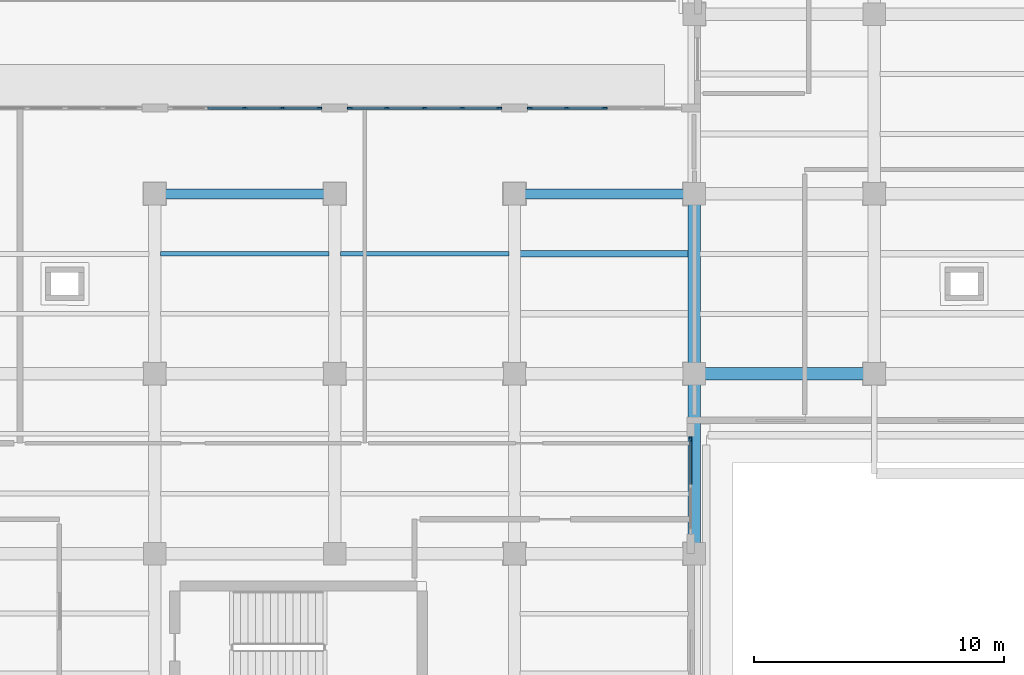
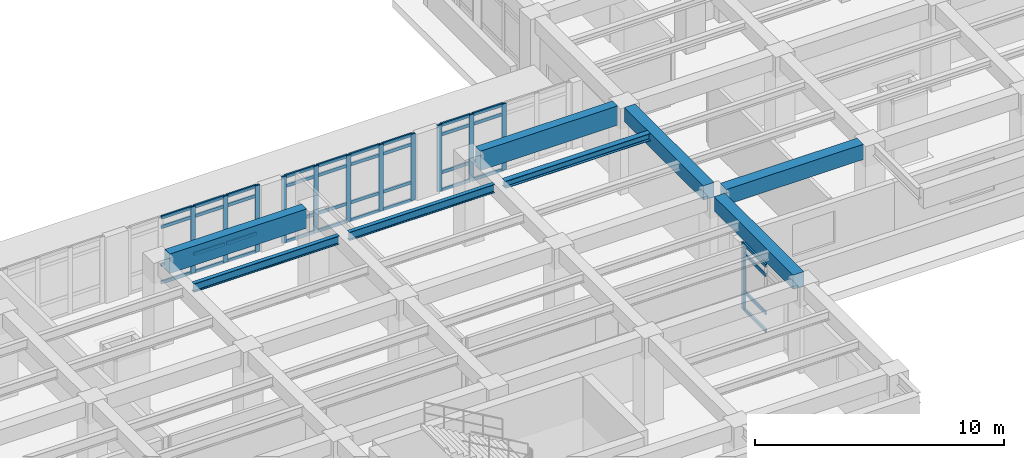
# One storey, part 15 of 69: 52 members, 8 beams, 4 elements without a shape of their own.
"""IFC4 building model written with IfcOpenShell, lengths in metres."""

import ifcopenshell
import ifcopenshell.guid

model = None  # the IFC model being written
_history = None  # IfcOwnerHistory: only IFC2X3 demands one
_inside = {}  # id of a spatial element -> (the spatial element, [elements in it])
_under = {}  # id of a project, library or spatial element -> (it, [spatial elements below it])
_declared = {}  # id of a project -> (the project, [libraries it declares])
_typed = {}  # id of a type object -> (the type object, [elements of that type])
_made_of = {}  # id of a material, layer set ... -> (it, [elements and type objects made of it])


def new_model(schema):
    """Start an empty IFC model of exactly this schema.

    Asked for "IFC4X3", IfcOpenShell would pick the latest addendum, in which some entities
    have other attributes; the version numbers below select the first issue.
    IFC2X3 requires an IfcOwnerHistory on every rooted entity: one is made here for all.
    """
    global model, _history
    if schema == "IFC4X3":
        model = ifcopenshell.file(schema_version=(4, 3, 0, 0))
    else:
        model = ifcopenshell.file(schema=schema)
    _inside.clear()
    _under.clear()
    _declared.clear()
    _typed.clear()
    _made_of.clear()
    _history = None
    if model.schema == "IFC2X3":
        org = make("IfcOrganization", Name="unknown")
        user = make(
            "IfcPersonAndOrganization",
            ThePerson=make("IfcPerson", FamilyName="unknown"),
            TheOrganization=org,
        )
        app = make(
            "IfcApplication",
            ApplicationDeveloper=org,
            Version="unknown",
            ApplicationFullName="unknown",
            ApplicationIdentifier="unknown",
        )
        _history = make(
            "IfcOwnerHistory",
            OwningUser=user,
            OwningApplication=app,
            ChangeAction="ADDED",
            CreationDate=0,
        )
    return model


def make(cls, **values):
    """One entity of the class cls with the attributes given. An attribute that is None is left unset."""
    return model.create_entity(
        cls, **{name: value for name, value in values.items() if value is not None}
    )


def rooted(cls, **values):
    """An entity with a GlobalId (a new one), such as an element, a storey or a relation."""
    return make(cls, GlobalId=ifcopenshell.guid.new(), OwnerHistory=_history, **values)


def si_unit(unit_type, name, prefix=None):
    """IfcSIUnit, for example si_unit("LENGTHUNIT", "METRE", prefix="MILLI")."""
    return make("IfcSIUnit", UnitType=unit_type, Prefix=prefix, Name=name)


def assignment(units):
    """IfcUnitAssignment: the units of a project."""
    return None if units is None else make("IfcUnitAssignment", Units=units)


def point(xyz):
    """IfcCartesianPoint."""
    return None if xyz is None else make("IfcCartesianPoint", Coordinates=xyz)


def direction(xyz):
    """IfcDirection."""
    return None if xyz is None else make("IfcDirection", DirectionRatios=xyz)


def frame(location, z_axis=None, x_axis=None):
    """IfcAxis2Placement3D, a coordinate frame: its origin and axes. An axis left out is left unset."""
    return make(
        "IfcAxis2Placement3D",
        Location=point(location),
        Axis=direction(z_axis),
        RefDirection=direction(x_axis),
    )


def frame_2d(location, x_axis=None):
    """IfcAxis2Placement2D, a coordinate frame in the plane: its origin and x axis."""
    return make(
        "IfcAxis2Placement2D", Location=point(location), RefDirection=direction(x_axis)
    )


def origin():
    """The frame at (0, 0, 0) with its axes left unset."""
    return frame((0.0, 0.0, 0.0))


def origin_2d():
    """The frame at (0, 0) in the plane with its x axis left unset."""
    return frame_2d((0.0, 0.0))


def place(relative_to, where):
    """IfcLocalPlacement: puts the frame where relative to a parent placement (None: the world)."""
    return make(
        "IfcLocalPlacement", PlacementRelTo=relative_to, RelativePlacement=where
    )


def context(
    kind, dimensions, precision=None, world=None, true_north=None, identifier=None
):
    """IfcGeometricRepresentationContext, for example the 3D "Model" context."""
    return make(
        "IfcGeometricRepresentationContext",
        ContextIdentifier=identifier,
        ContextType=kind,
        CoordinateSpaceDimension=dimensions,
        Precision=precision,
        WorldCoordinateSystem=world,
        TrueNorth=true_north,
    )


def subcontext(parent, identifier, kind, view, scale=None):
    """IfcGeometricRepresentationSubContext, for example "Body" below "Model"."""
    return make(
        "IfcGeometricRepresentationSubContext",
        ContextIdentifier=identifier,
        ContextType=kind,
        ParentContext=parent,
        TargetScale=scale,
        TargetView=view,
    )


def project(units=None, contexts=None):
    """IfcProject with its units and contexts."""
    return rooted(
        "IfcProject",
        Name="project",
        RepresentationContexts=contexts,
        UnitsInContext=assignment(units),
    )


def spatial(cls, under=None, at=None, **own):
    """A site, building, storey or space (cls), placed at a placement, below another one or the project."""
    s = rooted(cls, ObjectPlacement=at, **own)
    if under is not None:
        _under.setdefault(under.id(), (under, []))[1].append(s)
    return s


def profile(cls, at=None, kind="AREA", **sizes):
    """A parametric profile (cls). Its sizes go by their IFC names, for example OverallWidth=200.0."""
    return make(cls, ProfileType=kind, Position=at, **sizes)


def rectangle(**sizes):
    """IfcRectangleProfileDef."""
    return profile("IfcRectangleProfileDef", **sizes)


def i_section(**sizes):
    """IfcIShapeProfileDef."""
    return profile("IfcIShapeProfileDef", **sizes)


def extrude(swept, where, along, depth):
    """IfcExtrudedAreaSolid: the profile swept, set in the frame where, extruded along a direction by depth."""
    return make(
        "IfcExtrudedAreaSolid",
        SweptArea=swept,
        Position=where,
        ExtrudedDirection=direction(along),
        Depth=depth,
    )


def shape(context_of_items, identifier, shape_type, items):
    """IfcShapeRepresentation: the items that make up one representation, for example the "Body"."""
    return make(
        "IfcShapeRepresentation",
        ContextOfItems=context_of_items,
        RepresentationIdentifier=identifier,
        RepresentationType=shape_type,
        Items=items,
    )


def material(Name=None, Category=None):
    """IfcMaterial."""
    return make("IfcMaterial", Name=Name, Category=Category)


def layer(
    of_material, thickness, ventilated=None, Name=None, Category=None, Priority=None
):
    """IfcMaterialLayer: one layer of a wall or slab, of a material (None: an air gap)."""
    return make(
        "IfcMaterialLayer",
        Material=of_material,
        LayerThickness=thickness,
        IsVentilated=ventilated,
        Name=Name,
        Category=Category,
        Priority=Priority,
    )


def layer_set(layers, Name=None):
    """IfcMaterialLayerSet."""
    return make("IfcMaterialLayerSet", MaterialLayers=layers, LayerSetName=Name)


def material_profile(
    of_material, cross_section, Name=None, Category=None, Priority=None
):
    """IfcMaterialProfile: a cross section and its material."""
    return make(
        "IfcMaterialProfile",
        Name=Name,
        Material=of_material,
        Profile=cross_section,
        Priority=Priority,
        Category=Category,
    )


def profile_set(profiles, Name=None, composite=None):
    """IfcMaterialProfileSet."""
    return make(
        "IfcMaterialProfileSet",
        Name=Name,
        MaterialProfiles=profiles,
        CompositeProfile=composite,
    )


def made_of(thing, what):
    """Note that an element or type object is made of a material, layer set ...; save() writes the relation."""
    if what is not None:
        _made_of.setdefault(what.id(), (what, []))[1].append(thing)
    return thing


def type_object(cls, material=None, **own):
    """A type object (cls), such as IfcWallType, which elements share."""
    return made_of(rooted(cls, **own), material)


def element(
    cls,
    number,
    at=None,
    inside=None,
    cuts=None,
    type_object=None,
    material=None,
    context=None,
    identifier="Body",
    shape_type=None,
    held_by="IfcProductDefinitionShape",
    body=None,
    shapes=None,
    **own,
):
    """One element of the class cls, such as IfcWall. Its Tag is "e" and its number.

    at: its placement. inside: the storey or other place that contains it. cuts: it is an
    opening in that element (IfcRelVoidsElement). A single representation is given by context,
    identifier, shape_type and body (its items); several are given by shapes. held_by: the class
    of the entity that holds the representations. save() writes the other relations.
    """
    e = rooted(cls, Tag="e%d" % number, ObjectPlacement=at, **own)
    if body is not None:
        shapes = [shape(context, identifier, shape_type, body)]
    if shapes is not None:
        e.Representation = make(held_by, Representations=shapes)
    if inside is not None:
        _inside.setdefault(inside.id(), (inside, []))[1].append(e)
    if cuts is not None:
        rooted(
            "IfcRelVoidsElement", RelatingBuildingElement=cuts, RelatedOpeningElement=e
        )
    if type_object is not None:
        _typed.setdefault(type_object.id(), (type_object, []))[1].append(e)
    return made_of(e, material)


def aggregate(whole, parts):
    """IfcRelAggregates: a whole, such as a stair, and the parts it consists of."""
    return rooted("IfcRelAggregates", RelatingObject=whole, RelatedObjects=parts)


def save(model, path):
    """Write the relations noted so far, then the file.

    IfcRelAggregates (storeys below a building ...), IfcRelContainedInSpatialStructure (elements
    in a storey), IfcRelDefinesByType, IfcRelAssociatesMaterial and IfcRelDeclares: one each for
    every whole, place, type object, material and project.
    """
    for whole, parts in _under.values():
        aggregate(whole, parts)
    for where, things in _inside.values():
        rooted(
            "IfcRelContainedInSpatialStructure",
            RelatedElements=things,
            RelatingStructure=where,
        )
    for kind, things in _typed.values():
        rooted("IfcRelDefinesByType", RelatedObjects=things, RelatingType=kind)
    for what, things in _made_of.values():
        rooted("IfcRelAssociatesMaterial", RelatedObjects=things, RelatingMaterial=what)
    for by, libraries in _declared.values():
        rooted("IfcRelDeclares", RelatingContext=by, RelatedDefinitions=libraries)
    model.write(path)


model = new_model("IFC4")

# Units and contexts
model_context = context("Model", 3, precision=1e-05, world=origin(), true_north=direction((0.0, 1.0)))
body_context = subcontext(model_context, "Body", "Model", "MODEL_VIEW")
ifc_project = project(units=[si_unit("LENGTHUNIT", "METRE"), si_unit("AREAUNIT", "SQUARE_METRE"), si_unit("VOLUMEUNIT", "CUBIC_METRE"), si_unit("PLANEANGLEUNIT", "RADIAN"), si_unit("MASSUNIT", "GRAM", prefix="KILO")], contexts=[model_context])

# Site, building, storey
site_placement = place(None, origin())
site = spatial("IfcSite", under=ifc_project, at=site_placement, CompositionType="ELEMENT")
building_placement = place(site_placement, origin())
building = spatial("IfcBuilding", under=site, at=building_placement, Name="Solenvale Faculty of Natural Sciences", CompositionType="ELEMENT")
storey_placement = place(building_placement, frame((0.0, 0.0, 4.5)))
storey = spatial("IfcBuildingStorey", under=building, at=storey_placement, Name="L01", CompositionType="ELEMENT", Elevation=4.5)

# Beams
ifc_material_1 = material(Name="Concrete 40 MPa", Category="concrete")
ifc_material_profile_1 = material_profile(ifc_material_1, rectangle(XDim=0.5, YDim=0.699951171875, at=origin_2d()), Name="RC-BM-500x700")
ifc_profile_set_1 = profile_set([ifc_material_profile_1], Name="Concrete 40 MPa")
beam_type_1 = type_object("IfcBeamType", Name="BM-RC-500x700", PredefinedType="BEAM", material=ifc_profile_set_1)
for number, where, z_axis, x_axis, name in (
    (1, (115.199951171875, 29.22998046875, 3.8701171875), (0.0, 1.0, 0.0), (-1.0, 0.0, 0.0), "L01 Y-Girder X115.2 (28.8..36.0)"),
    (2, (115.199951171875, 36.429931640625, 3.8701171875), (0.0, 1.0, 0.0), (-1.0, 0.0, 0.0), "L01 Y-Girder X115.2 (36.0..43.2)"),
):
    element("IfcBeam", number, at=place(storey_placement, frame(where, z_axis=z_axis, x_axis=x_axis)), inside=storey, type_object=beam_type_1, Name=name, PredefinedType="BEAM", context=body_context, shape_type="SweptSolid", body=[
        extrude(rectangle(XDim=0.5, YDim=0.699951171875, at=origin_2d()), origin(), (0.0, 0.0, 1.0), 6.340087890625),
    ])
ifc_material_profile_2 = material_profile(ifc_material_1, rectangle(XDim=0.5, YDim=0.75, at=origin_2d()), Name="RC-BM-500x750")
ifc_profile_set_2 = profile_set([ifc_material_profile_2], Name="Concrete 40 MPa")
beam_type_2 = type_object("IfcBeamType", Name="BM-RC-500x750", PredefinedType="BEAM", material=ifc_profile_set_2)
beam_1_placement = place(storey_placement, frame((115.6298828125, 36.0, 3.844970703125), z_axis=(1.0, 0.0, 0.0), x_axis=(0.0, 1.0, 0.0)))
element("IfcBeam", 3, at=beam_1_placement, inside=storey, type_object=beam_type_2, Name="L01 X-Girder Y36.0 (115.2..122.4)", PredefinedType="BEAM", context=body_context, shape_type="SweptSolid", body=[
    extrude(rectangle(XDim=0.5, YDim=0.75, at=origin_2d()), origin(), (0.0, 0.0, 1.0), 6.340087890625),
])
ifc_material_2 = material(Name="Architectural bronze concrete 40 MPa", Category="concrete")
ifc_material_profile_3 = material_profile(ifc_material_2, rectangle(XDim=0.39990234375, YDim=0.949951171875, at=origin_2d()), Name="RC-SPN-400x950")
ifc_profile_set_3 = profile_set([ifc_material_profile_3], Name="Architectural bronze concrete 40 MPa")
beam_type_3 = type_object("IfcBeamType", Name="BM-SPN-BRZ-950", PredefinedType="SPANDREL", material=ifc_profile_set_3)
for number, where, z_axis, x_axis, name in (
    (4, (94.030029296875, 43.199951171875, 3.7451171875), (1.0, 0.0, 0.0), (0.0, 1.0, 0.0), "L02 Sliding-Tray North Bronze Fascia 6"),
    (5, (108.429931640625, 43.199951171875, 3.7451171875), (1.0, 0.0, 0.0), (0.0, 1.0, 0.0), "L02 Sliding-Tray North Bronze Fascia 8"),
):
    element("IfcBeam", number, at=place(storey_placement, frame(where, z_axis=z_axis, x_axis=x_axis)), inside=storey, type_object=beam_type_3, Name=name, PredefinedType="SPANDREL", context=body_context, shape_type="SweptSolid", body=[
        extrude(rectangle(XDim=0.39990234375, YDim=0.949951171875, at=origin_2d()), origin(), (0.0, 0.0, 1.0), 6.340087890625),
    ])
ifc_material_3 = material(Name="Steel S355", Category="steel")
ifc_material_profile_4 = material_profile(ifc_material_3, i_section(OverallWidth=0.2548828125, OverallDepth=0.35693359375, WebThickness=0.010498046875, FlangeThickness=0.018310546875, FilletRadius=0.014892578125, at=origin_2d()), Name="W360x101")
ifc_profile_set_4 = profile_set([ifc_material_profile_4], Name="Steel S355")
beam_type_4 = type_object("IfcBeamType", Name="BM-STL-W360x101", PredefinedType="JOIST", material=ifc_profile_set_4)
beam_2_placement = place(storey_placement, frame((108.22998046875, 40.800048828125, 4.04150390625), z_axis=(1.0, 0.0, 0.0), x_axis=(0.0, 1.0, 0.0)))
element("IfcBeam", 6, at=beam_2_placement, inside=storey, type_object=beam_type_4, Name="L01 Composite Floor Joist (16,6).2", PredefinedType="JOIST", context=body_context, shape_type="SweptSolid", body=[
    extrude(i_section(OverallWidth=0.2548828125, OverallDepth=0.35693359375, WebThickness=0.010498046875, FlangeThickness=0.018310546875, FilletRadius=0.014892578125, at=origin_2d()), origin(), (0.0, 0.0, 1.0), 6.739990234375),
])
ifc_material_profile_5 = material_profile(ifc_material_3, i_section(OverallWidth=0.178955078125, OverallDepth=0.409912109375, WebThickness=0.0087890625, FlangeThickness=0.014404296875, FilletRadius=0.01611328125, at=origin_2d()), Name="W410x67")
ifc_profile_set_5 = profile_set([ifc_material_profile_5], Name="Steel S355")
beam_type_5 = type_object("IfcBeamType", Name="BM-STL-W410x67", PredefinedType="JOIST", material=ifc_profile_set_5)
beam_3_placement = place(storey_placement, frame((101.030029296875, 40.800048828125, 4.014892578125), z_axis=(1.0, 0.0, 0.0), x_axis=(0.0, 1.0, 0.0)))
element("IfcBeam", 7, at=beam_3_placement, inside=storey, type_object=beam_type_5, Name="L01 Composite Floor Joist (15,6).2", PredefinedType="JOIST", context=body_context, shape_type="SweptSolid", body=[
    extrude(i_section(OverallWidth=0.178955078125, OverallDepth=0.409912109375, WebThickness=0.0087890625, FlangeThickness=0.014404296875, FilletRadius=0.01611328125, at=origin_2d()), origin(), (0.0, 0.0, 1.0), 6.739990234375),
])
ifc_material_profile_6 = material_profile(ifc_material_3, i_section(OverallWidth=0.180908203125, OverallDepth=0.4169921875, WebThickness=0.010986328125, FlangeThickness=0.018310546875, FilletRadius=0.01611328125, at=origin_2d()), Name="W410x85")
ifc_profile_set_6 = profile_set([ifc_material_profile_6], Name="Steel S355")
beam_type_6 = type_object("IfcBeamType", Name="BM-STL-W410x85", PredefinedType="JOIST", material=ifc_profile_set_6)
beam_4_placement = place(storey_placement, frame((93.830078125, 40.800048828125, 4.011474609375), z_axis=(1.0, 0.0, 0.0), x_axis=(0.0, 1.0, 0.0)))
element("IfcBeam", 8, at=beam_4_placement, inside=storey, type_object=beam_type_6, Name="L01 Composite Floor Joist (14,6).2", PredefinedType="JOIST", context=body_context, shape_type="SweptSolid", body=[
    extrude(i_section(OverallWidth=0.180908203125, OverallDepth=0.4169921875, WebThickness=0.010986328125, FlangeThickness=0.018310546875, FilletRadius=0.01611328125, at=origin_2d()), origin(), (0.0, 0.0, 1.0), 6.739990234375),
])

# Curtain wall, member
ifc_material_4 = material(Name="Anodised bronze aluminium", Category="aluminium")
ifc_layer_1 = layer(ifc_material_4, 0.179931640625)
ifc_layer_set_1 = layer_set([ifc_layer_1], Name="Anodised bronze aluminium")
curtain_wall_type_1 = type_object("IfcCurtainWallType", Name="CW-TWR-MOD", PredefinedType="USERDEFINED", material=ifc_layer_set_1)
curtain_wall_1_placement = place(storey_placement, origin())
curtain_wall_1 = element("IfcCurtainWall", 9, at=curtain_wall_1_placement, inside=storey, type_object=curtain_wall_type_1, Name="L01 Curtain Wall CW-L01-P1-E6-B2", ObjectType="UNITISED CURTAIN WALL", PredefinedType="USERDEFINED")
ifc_material_profile_7 = material_profile(ifc_material_4, rectangle(XDim=0.074951171875, YDim=0.2099609375, at=origin_2d()), Name="ALU-MUL-75x210")
ifc_profile_set_7 = profile_set([ifc_material_profile_7], Name="Anodised bronze aluminium")
member_type_1 = type_object("IfcMemberType", Name="CWM-ALU-75x210", PredefinedType="MULLION", material=ifc_profile_set_7)
member_1_placement = place(storey_placement, frame((115.0576171875, 33.382568359375, 0.0), z_axis=(0.0, 0.0, 1.0), x_axis=(-1.0, 0.0, 0.0)))
member_1 = element("IfcMember", 10, at=member_1_placement, type_object=member_type_1, Name="CW-04 mullion 3", PredefinedType="MULLION", context=body_context, shape_type="SweptSolid", body=[
    extrude(rectangle(XDim=0.074951171875, YDim=0.2099609375, at=origin_2d()), origin(), (0.0, 0.0, 1.0), 3.260009765625),
])

# Curtain wall, members
ifc_layer_2 = layer(ifc_material_4, 0.18994140625)
ifc_layer_set_2 = layer_set([ifc_layer_2], Name="Anodised bronze aluminium")
curtain_wall_type_2 = type_object("IfcCurtainWallType", Name="CW-TRAY-REC", PredefinedType="USERDEFINED", material=ifc_layer_set_2)
curtain_wall_2_placement = place(storey_placement, origin())
curtain_wall_2 = element("IfcCurtainWall", 11, at=curtain_wall_2_placement, inside=storey, type_object=curtain_wall_type_2, Name="L01 Curtain Wall CW-L01-P1-E11-B1", ObjectType="UNITISED CURTAIN WALL", PredefinedType="USERDEFINED")
member_2_placement = place(storey_placement, frame((111.60009765625, 46.637451171875, 0.0), z_axis=(0.0, 0.0, 1.0), x_axis=(0.0, -1.0, 0.0)))
member_2 = element("IfcMember", 12, at=member_2_placement, type_object=member_type_1, Name="CW-02 mullion 3", PredefinedType="MULLION", context=body_context, shape_type="SweptSolid", body=[
    extrude(rectangle(XDim=0.074951171875, YDim=0.2099609375, at=origin_2d()), origin(), (0.0, 0.0, 1.0), 3.260009765625),
])
member_3_placement = place(storey_placement, frame((110.090087890625, 46.637451171875, 0.0), z_axis=(0.0, 0.0, 1.0), x_axis=(0.0, -1.0, 0.0)))
member_3 = element("IfcMember", 13, at=member_3_placement, type_object=member_type_1, Name="CW-02 mullion 4", PredefinedType="MULLION", context=body_context, shape_type="SweptSolid", body=[
    extrude(rectangle(XDim=0.074951171875, YDim=0.2099609375, at=origin_2d()), origin(), (0.0, 0.0, 1.0), 3.260009765625),
])
member_4_placement = place(storey_placement, frame((108.617431640625, 46.637451171875, 0.0), z_axis=(0.0, 0.0, 1.0), x_axis=(0.0, -1.0, 0.0)))
member_4 = element("IfcMember", 14, at=member_4_placement, type_object=member_type_1, Name="CW-02 mullion 5", PredefinedType="MULLION", context=body_context, shape_type="SweptSolid", body=[
    extrude(rectangle(XDim=0.074951171875, YDim=0.2099609375, at=origin_2d()), origin(), (0.0, 0.0, 1.0), 3.260009765625),
])

curtain_wall_3_placement = place(storey_placement, origin())
curtain_wall_3 = element("IfcCurtainWall", 15, at=curtain_wall_3_placement, inside=storey, type_object=curtain_wall_type_2, Name="L01 Curtain Wall CW-L01-P1-E11-B2", ObjectType="UNITISED CURTAIN WALL", PredefinedType="USERDEFINED")
member_5_placement = place(storey_placement, frame((107.382568359375, 46.637451171875, 0.0), z_axis=(0.0, 0.0, 1.0), x_axis=(0.0, -1.0, 0.0)))
member_5 = element("IfcMember", 16, at=member_5_placement, type_object=member_type_1, Name="CW-02 mullion 1", PredefinedType="MULLION", context=body_context, shape_type="SweptSolid", body=[
    extrude(rectangle(XDim=0.074951171875, YDim=0.2099609375, at=origin_2d()), origin(), (0.0, 0.0, 1.0), 3.260009765625),
])
member_6_placement = place(storey_placement, frame((105.909912109375, 46.637451171875, 0.0), z_axis=(0.0, 0.0, 1.0), x_axis=(0.0, -1.0, 0.0)))
member_6 = element("IfcMember", 17, at=member_6_placement, type_object=member_type_1, Name="CW-02 mullion 2", PredefinedType="MULLION", context=body_context, shape_type="SweptSolid", body=[
    extrude(rectangle(XDim=0.074951171875, YDim=0.2099609375, at=origin_2d()), origin(), (0.0, 0.0, 1.0), 3.260009765625),
])
member_7_placement = place(storey_placement, frame((104.39990234375, 46.637451171875, 0.0), z_axis=(0.0, 0.0, 1.0), x_axis=(0.0, -1.0, 0.0)))
member_7 = element("IfcMember", 18, at=member_7_placement, type_object=member_type_1, Name="CW-02 mullion 3", PredefinedType="MULLION", context=body_context, shape_type="SweptSolid", body=[
    extrude(rectangle(XDim=0.074951171875, YDim=0.2099609375, at=origin_2d()), origin(), (0.0, 0.0, 1.0), 3.260009765625),
])
member_8_placement = place(storey_placement, frame((102.889892578125, 46.637451171875, 0.0), z_axis=(0.0, 0.0, 1.0), x_axis=(0.0, -1.0, 0.0)))
member_8 = element("IfcMember", 19, at=member_8_placement, type_object=member_type_1, Name="CW-02 mullion 4", PredefinedType="MULLION", context=body_context, shape_type="SweptSolid", body=[
    extrude(rectangle(XDim=0.074951171875, YDim=0.2099609375, at=origin_2d()), origin(), (0.0, 0.0, 1.0), 3.260009765625),
])
member_9_placement = place(storey_placement, frame((101.41748046875, 46.637451171875, 0.0), z_axis=(0.0, 0.0, 1.0), x_axis=(0.0, -1.0, 0.0)))
member_9 = element("IfcMember", 20, at=member_9_placement, type_object=member_type_1, Name="CW-02 mullion 5", PredefinedType="MULLION", context=body_context, shape_type="SweptSolid", body=[
    extrude(rectangle(XDim=0.074951171875, YDim=0.2099609375, at=origin_2d()), origin(), (0.0, 0.0, 1.0), 3.260009765625),
])

curtain_wall_4_placement = place(storey_placement, origin())
curtain_wall_4 = element("IfcCurtainWall", 21, at=curtain_wall_4_placement, inside=storey, type_object=curtain_wall_type_2, Name="L01 Curtain Wall CW-L01-P1-E11-B3", ObjectType="UNITISED CURTAIN WALL", PredefinedType="USERDEFINED")
member_10_placement = place(storey_placement, frame((100.1826171875, 46.637451171875, 0.0), z_axis=(0.0, 0.0, 1.0), x_axis=(0.0, -1.0, 0.0)))
member_10 = element("IfcMember", 22, at=member_10_placement, type_object=member_type_1, Name="CW-02 mullion 1", PredefinedType="MULLION", context=body_context, shape_type="SweptSolid", body=[
    extrude(rectangle(XDim=0.074951171875, YDim=0.2099609375, at=origin_2d()), origin(), (0.0, 0.0, 1.0), 3.260009765625),
])
member_11_placement = place(storey_placement, frame((98.7099609375, 46.637451171875, 0.0), z_axis=(0.0, 0.0, 1.0), x_axis=(0.0, -1.0, 0.0)))
member_11 = element("IfcMember", 23, at=member_11_placement, type_object=member_type_1, Name="CW-02 mullion 2", PredefinedType="MULLION", context=body_context, shape_type="SweptSolid", body=[
    extrude(rectangle(XDim=0.074951171875, YDim=0.2099609375, at=origin_2d()), origin(), (0.0, 0.0, 1.0), 3.260009765625),
])
member_12_placement = place(storey_placement, frame((97.199951171875, 46.637451171875, 0.0), z_axis=(0.0, 0.0, 1.0), x_axis=(0.0, -1.0, 0.0)))
member_12 = element("IfcMember", 24, at=member_12_placement, type_object=member_type_1, Name="CW-02 mullion 3", PredefinedType="MULLION", context=body_context, shape_type="SweptSolid", body=[
    extrude(rectangle(XDim=0.074951171875, YDim=0.2099609375, at=origin_2d()), origin(), (0.0, 0.0, 1.0), 3.260009765625),
])

# Member
ifc_material_profile_8 = material_profile(ifc_material_4, rectangle(XDim=0.074951171875, YDim=0.155029296875, at=origin_2d()), Name="ALU-TRN-75x155")
ifc_profile_set_8 = profile_set([ifc_material_profile_8], Name="Anodised bronze aluminium")
member_type_2 = type_object("IfcMemberType", Name="CWT-ALU-75x155", PredefinedType="USERDEFINED", material=ifc_profile_set_8)
member_13_placement = place(storey_placement, frame((115.0576171875, 31.572509765625, 0.03759765625), z_axis=(0.0, 1.0, 0.0), x_axis=(-1.0, 0.0, 0.0)))
member_13 = element("IfcMember", 25, at=member_13_placement, type_object=member_type_2, Name="CW-04 transom 2.1", ObjectType="TRANSOM", PredefinedType="USERDEFINED", context=body_context, shape_type="SweptSolid", body=[
    extrude(rectangle(XDim=0.074951171875, YDim=0.155029296875, at=origin_2d()), origin(), (0.0, 0.0, 1.0), 1.7724609375),
])

member_14_placement = place(storey_placement, frame((115.0576171875, 31.572509765625, 0.89990234375), z_axis=(0.0, 1.0, 0.0), x_axis=(-1.0, 0.0, 0.0)))
member_14 = element("IfcMember", 26, at=member_14_placement, type_object=member_type_2, Name="CW-04 transom 2.2", ObjectType="TRANSOM", PredefinedType="USERDEFINED", context=body_context, shape_type="SweptSolid", body=[
    extrude(rectangle(XDim=0.074951171875, YDim=0.155029296875, at=origin_2d()), origin(), (0.0, 0.0, 1.0), 1.7724609375),
])

member_15_placement = place(storey_placement, frame((115.0576171875, 31.572509765625, 2.760009765625), z_axis=(0.0, 1.0, 0.0), x_axis=(-1.0, 0.0, 0.0)))
member_15 = element("IfcMember", 27, at=member_15_placement, type_object=member_type_2, Name="CW-04 transom 2.3", ObjectType="TRANSOM", PredefinedType="USERDEFINED", context=body_context, shape_type="SweptSolid", body=[
    extrude(rectangle(XDim=0.074951171875, YDim=0.155029296875, at=origin_2d()), origin(), (0.0, 0.0, 1.0), 1.7724609375),
])

member_16_placement = place(storey_placement, frame((115.0576171875, 31.572509765625, 3.222412109375), z_axis=(0.0, 1.0, 0.0), x_axis=(-1.0, 0.0, 0.0)))
member_16 = element("IfcMember", 28, at=member_16_placement, type_object=member_type_2, Name="CW-04 transom 2.4", ObjectType="TRANSOM", PredefinedType="USERDEFINED", context=body_context, shape_type="SweptSolid", body=[
    extrude(rectangle(XDim=0.074951171875, YDim=0.155029296875, at=origin_2d()), origin(), (0.0, 0.0, 1.0), 1.7724609375),
])

aggregate(curtain_wall_1, [member_1, member_13, member_14, member_15, member_16])

member_17_placement = place(storey_placement, frame((111.5625, 46.637451171875, 0.03759765625), z_axis=(-1.0, 0.0, 0.0), x_axis=(0.0, -1.0, 0.0)))
member_17 = element("IfcMember", 29, at=member_17_placement, type_object=member_type_2, Name="CW-02 transom 3.1", ObjectType="TRANSOM", PredefinedType="USERDEFINED", context=body_context, shape_type="SweptSolid", body=[
    extrude(rectangle(XDim=0.074951171875, YDim=0.155029296875, at=origin_2d()), origin(), (0.0, 0.0, 1.0), 1.43505859375),
])

member_18_placement = place(storey_placement, frame((111.5625, 46.637451171875, 0.89990234375), z_axis=(-1.0, 0.0, 0.0), x_axis=(0.0, -1.0, 0.0)))
member_18 = element("IfcMember", 30, at=member_18_placement, type_object=member_type_2, Name="CW-02 transom 3.2", ObjectType="TRANSOM", PredefinedType="USERDEFINED", context=body_context, shape_type="SweptSolid", body=[
    extrude(rectangle(XDim=0.074951171875, YDim=0.155029296875, at=origin_2d()), origin(), (0.0, 0.0, 1.0), 1.43505859375),
])

member_19_placement = place(storey_placement, frame((111.5625, 46.637451171875, 2.760009765625), z_axis=(-1.0, 0.0, 0.0), x_axis=(0.0, -1.0, 0.0)))
member_19 = element("IfcMember", 31, at=member_19_placement, type_object=member_type_2, Name="CW-02 transom 3.3", ObjectType="TRANSOM", PredefinedType="USERDEFINED", context=body_context, shape_type="SweptSolid", body=[
    extrude(rectangle(XDim=0.074951171875, YDim=0.155029296875, at=origin_2d()), origin(), (0.0, 0.0, 1.0), 1.43505859375),
])

member_20_placement = place(storey_placement, frame((111.5625, 46.637451171875, 3.222412109375), z_axis=(-1.0, 0.0, 0.0), x_axis=(0.0, -1.0, 0.0)))
member_20 = element("IfcMember", 32, at=member_20_placement, type_object=member_type_2, Name="CW-02 transom 3.4", ObjectType="TRANSOM", PredefinedType="USERDEFINED", context=body_context, shape_type="SweptSolid", body=[
    extrude(rectangle(XDim=0.074951171875, YDim=0.155029296875, at=origin_2d()), origin(), (0.0, 0.0, 1.0), 1.43505859375),
])

member_21_placement = place(storey_placement, frame((110.052490234375, 46.637451171875, 0.03759765625), z_axis=(-1.0, 0.0, 0.0), x_axis=(0.0, -1.0, 0.0)))
member_21 = element("IfcMember", 33, at=member_21_placement, type_object=member_type_2, Name="CW-02 transom 4.1", ObjectType="TRANSOM", PredefinedType="USERDEFINED", context=body_context, shape_type="SweptSolid", body=[
    extrude(rectangle(XDim=0.074951171875, YDim=0.155029296875, at=origin_2d()), origin(), (0.0, 0.0, 1.0), 1.3974609375),
])

member_22_placement = place(storey_placement, frame((110.052490234375, 46.637451171875, 0.89990234375), z_axis=(-1.0, 0.0, 0.0), x_axis=(0.0, -1.0, 0.0)))
member_22 = element("IfcMember", 34, at=member_22_placement, type_object=member_type_2, Name="CW-02 transom 4.2", ObjectType="TRANSOM", PredefinedType="USERDEFINED", context=body_context, shape_type="SweptSolid", body=[
    extrude(rectangle(XDim=0.074951171875, YDim=0.155029296875, at=origin_2d()), origin(), (0.0, 0.0, 1.0), 1.3974609375),
])

member_23_placement = place(storey_placement, frame((110.052490234375, 46.637451171875, 2.760009765625), z_axis=(-1.0, 0.0, 0.0), x_axis=(0.0, -1.0, 0.0)))
member_23 = element("IfcMember", 35, at=member_23_placement, type_object=member_type_2, Name="CW-02 transom 4.3", ObjectType="TRANSOM", PredefinedType="USERDEFINED", context=body_context, shape_type="SweptSolid", body=[
    extrude(rectangle(XDim=0.074951171875, YDim=0.155029296875, at=origin_2d()), origin(), (0.0, 0.0, 1.0), 1.3974609375),
])

member_24_placement = place(storey_placement, frame((110.052490234375, 46.637451171875, 3.222412109375), z_axis=(-1.0, 0.0, 0.0), x_axis=(0.0, -1.0, 0.0)))
member_24 = element("IfcMember", 36, at=member_24_placement, type_object=member_type_2, Name="CW-02 transom 4.4", ObjectType="TRANSOM", PredefinedType="USERDEFINED", context=body_context, shape_type="SweptSolid", body=[
    extrude(rectangle(XDim=0.074951171875, YDim=0.155029296875, at=origin_2d()), origin(), (0.0, 0.0, 1.0), 1.3974609375),
])

aggregate(curtain_wall_2, [member_2, member_3, member_4, member_17, member_18, member_19, member_20, member_21, member_22, member_23, member_24])

member_25_placement = place(storey_placement, frame((107.344970703125, 46.637451171875, 0.03759765625), z_axis=(-1.0, 0.0, 0.0), x_axis=(0.0, -1.0, 0.0)))
member_25 = element("IfcMember", 37, at=member_25_placement, type_object=member_type_2, Name="CW-02 transom 1.1", ObjectType="TRANSOM", PredefinedType="USERDEFINED", context=body_context, shape_type="SweptSolid", body=[
    extrude(rectangle(XDim=0.074951171875, YDim=0.155029296875, at=origin_2d()), origin(), (0.0, 0.0, 1.0), 1.3974609375),
])

member_26_placement = place(storey_placement, frame((107.344970703125, 46.637451171875, 0.89990234375), z_axis=(-1.0, 0.0, 0.0), x_axis=(0.0, -1.0, 0.0)))
member_26 = element("IfcMember", 38, at=member_26_placement, type_object=member_type_2, Name="CW-02 transom 1.2", ObjectType="TRANSOM", PredefinedType="USERDEFINED", context=body_context, shape_type="SweptSolid", body=[
    extrude(rectangle(XDim=0.074951171875, YDim=0.155029296875, at=origin_2d()), origin(), (0.0, 0.0, 1.0), 1.3974609375),
])

member_27_placement = place(storey_placement, frame((107.344970703125, 46.637451171875, 2.760009765625), z_axis=(-1.0, 0.0, 0.0), x_axis=(0.0, -1.0, 0.0)))
member_27 = element("IfcMember", 39, at=member_27_placement, type_object=member_type_2, Name="CW-02 transom 1.3", ObjectType="TRANSOM", PredefinedType="USERDEFINED", context=body_context, shape_type="SweptSolid", body=[
    extrude(rectangle(XDim=0.074951171875, YDim=0.155029296875, at=origin_2d()), origin(), (0.0, 0.0, 1.0), 1.3974609375),
])

member_28_placement = place(storey_placement, frame((107.344970703125, 46.637451171875, 3.222412109375), z_axis=(-1.0, 0.0, 0.0), x_axis=(0.0, -1.0, 0.0)))
member_28 = element("IfcMember", 40, at=member_28_placement, type_object=member_type_2, Name="CW-02 transom 1.4", ObjectType="TRANSOM", PredefinedType="USERDEFINED", context=body_context, shape_type="SweptSolid", body=[
    extrude(rectangle(XDim=0.074951171875, YDim=0.155029296875, at=origin_2d()), origin(), (0.0, 0.0, 1.0), 1.3974609375),
])

member_29_placement = place(storey_placement, frame((105.87255859375, 46.637451171875, 0.03759765625), z_axis=(-1.0, 0.0, 0.0), x_axis=(0.0, -1.0, 0.0)))
member_29 = element("IfcMember", 41, at=member_29_placement, type_object=member_type_2, Name="CW-02 transom 2.1", ObjectType="TRANSOM", PredefinedType="USERDEFINED", context=body_context, shape_type="SweptSolid", body=[
    extrude(rectangle(XDim=0.074951171875, YDim=0.155029296875, at=origin_2d()), origin(), (0.0, 0.0, 1.0), 1.43505859375),
])

member_30_placement = place(storey_placement, frame((105.87255859375, 46.637451171875, 0.89990234375), z_axis=(-1.0, 0.0, 0.0), x_axis=(0.0, -1.0, 0.0)))
member_30 = element("IfcMember", 42, at=member_30_placement, type_object=member_type_2, Name="CW-02 transom 2.2", ObjectType="TRANSOM", PredefinedType="USERDEFINED", context=body_context, shape_type="SweptSolid", body=[
    extrude(rectangle(XDim=0.074951171875, YDim=0.155029296875, at=origin_2d()), origin(), (0.0, 0.0, 1.0), 1.43505859375),
])

member_31_placement = place(storey_placement, frame((105.87255859375, 46.637451171875, 2.760009765625), z_axis=(-1.0, 0.0, 0.0), x_axis=(0.0, -1.0, 0.0)))
member_31 = element("IfcMember", 43, at=member_31_placement, type_object=member_type_2, Name="CW-02 transom 2.3", ObjectType="TRANSOM", PredefinedType="USERDEFINED", context=body_context, shape_type="SweptSolid", body=[
    extrude(rectangle(XDim=0.074951171875, YDim=0.155029296875, at=origin_2d()), origin(), (0.0, 0.0, 1.0), 1.43505859375),
])

member_32_placement = place(storey_placement, frame((105.87255859375, 46.637451171875, 3.222412109375), z_axis=(-1.0, 0.0, 0.0), x_axis=(0.0, -1.0, 0.0)))
member_32 = element("IfcMember", 44, at=member_32_placement, type_object=member_type_2, Name="CW-02 transom 2.4", ObjectType="TRANSOM", PredefinedType="USERDEFINED", context=body_context, shape_type="SweptSolid", body=[
    extrude(rectangle(XDim=0.074951171875, YDim=0.155029296875, at=origin_2d()), origin(), (0.0, 0.0, 1.0), 1.43505859375),
])

member_33_placement = place(storey_placement, frame((104.362548828125, 46.637451171875, 0.03759765625), z_axis=(-1.0, 0.0, 0.0), x_axis=(0.0, -1.0, 0.0)))
member_33 = element("IfcMember", 45, at=member_33_placement, type_object=member_type_2, Name="CW-02 transom 3.1", ObjectType="TRANSOM", PredefinedType="USERDEFINED", context=body_context, shape_type="SweptSolid", body=[
    extrude(rectangle(XDim=0.074951171875, YDim=0.155029296875, at=origin_2d()), origin(), (0.0, 0.0, 1.0), 1.43505859375),
])

member_34_placement = place(storey_placement, frame((104.362548828125, 46.637451171875, 0.89990234375), z_axis=(-1.0, 0.0, 0.0), x_axis=(0.0, -1.0, 0.0)))
member_34 = element("IfcMember", 46, at=member_34_placement, type_object=member_type_2, Name="CW-02 transom 3.2", ObjectType="TRANSOM", PredefinedType="USERDEFINED", context=body_context, shape_type="SweptSolid", body=[
    extrude(rectangle(XDim=0.074951171875, YDim=0.155029296875, at=origin_2d()), origin(), (0.0, 0.0, 1.0), 1.43505859375),
])

member_35_placement = place(storey_placement, frame((104.362548828125, 46.637451171875, 2.760009765625), z_axis=(-1.0, 0.0, 0.0), x_axis=(0.0, -1.0, 0.0)))
member_35 = element("IfcMember", 47, at=member_35_placement, type_object=member_type_2, Name="CW-02 transom 3.3", ObjectType="TRANSOM", PredefinedType="USERDEFINED", context=body_context, shape_type="SweptSolid", body=[
    extrude(rectangle(XDim=0.074951171875, YDim=0.155029296875, at=origin_2d()), origin(), (0.0, 0.0, 1.0), 1.43505859375),
])

member_36_placement = place(storey_placement, frame((104.362548828125, 46.637451171875, 3.222412109375), z_axis=(-1.0, 0.0, 0.0), x_axis=(0.0, -1.0, 0.0)))
member_36 = element("IfcMember", 48, at=member_36_placement, type_object=member_type_2, Name="CW-02 transom 3.4", ObjectType="TRANSOM", PredefinedType="USERDEFINED", context=body_context, shape_type="SweptSolid", body=[
    extrude(rectangle(XDim=0.074951171875, YDim=0.155029296875, at=origin_2d()), origin(), (0.0, 0.0, 1.0), 1.43505859375),
])

member_37_placement = place(storey_placement, frame((102.8525390625, 46.637451171875, 0.03759765625), z_axis=(-1.0, 0.0, 0.0), x_axis=(0.0, -1.0, 0.0)))
member_37 = element("IfcMember", 49, at=member_37_placement, type_object=member_type_2, Name="CW-02 transom 4.1", ObjectType="TRANSOM", PredefinedType="USERDEFINED", context=body_context, shape_type="SweptSolid", body=[
    extrude(rectangle(XDim=0.074951171875, YDim=0.155029296875, at=origin_2d()), origin(), (0.0, 0.0, 1.0), 1.3974609375),
])

member_38_placement = place(storey_placement, frame((102.8525390625, 46.637451171875, 0.89990234375), z_axis=(-1.0, 0.0, 0.0), x_axis=(0.0, -1.0, 0.0)))
member_38 = element("IfcMember", 50, at=member_38_placement, type_object=member_type_2, Name="CW-02 transom 4.2", ObjectType="TRANSOM", PredefinedType="USERDEFINED", context=body_context, shape_type="SweptSolid", body=[
    extrude(rectangle(XDim=0.074951171875, YDim=0.155029296875, at=origin_2d()), origin(), (0.0, 0.0, 1.0), 1.3974609375),
])

member_39_placement = place(storey_placement, frame((102.8525390625, 46.637451171875, 2.760009765625), z_axis=(-1.0, 0.0, 0.0), x_axis=(0.0, -1.0, 0.0)))
member_39 = element("IfcMember", 51, at=member_39_placement, type_object=member_type_2, Name="CW-02 transom 4.3", ObjectType="TRANSOM", PredefinedType="USERDEFINED", context=body_context, shape_type="SweptSolid", body=[
    extrude(rectangle(XDim=0.074951171875, YDim=0.155029296875, at=origin_2d()), origin(), (0.0, 0.0, 1.0), 1.3974609375),
])

member_40_placement = place(storey_placement, frame((102.8525390625, 46.637451171875, 3.222412109375), z_axis=(-1.0, 0.0, 0.0), x_axis=(0.0, -1.0, 0.0)))
member_40 = element("IfcMember", 52, at=member_40_placement, type_object=member_type_2, Name="CW-02 transom 4.4", ObjectType="TRANSOM", PredefinedType="USERDEFINED", context=body_context, shape_type="SweptSolid", body=[
    extrude(rectangle(XDim=0.074951171875, YDim=0.155029296875, at=origin_2d()), origin(), (0.0, 0.0, 1.0), 1.3974609375),
])

aggregate(curtain_wall_3, [member_5, member_6, member_7, member_8, member_9, member_25, member_26, member_27, member_28, member_29, member_30, member_31, member_32, member_33, member_34, member_35, member_36, member_37, member_38, member_39, member_40])

member_41_placement = place(storey_placement, frame((100.14501953125, 46.637451171875, 0.03759765625), z_axis=(-1.0, 0.0, 0.0), x_axis=(0.0, -1.0, 0.0)))
member_41 = element("IfcMember", 53, at=member_41_placement, type_object=member_type_2, Name="CW-02 transom 1.1", ObjectType="TRANSOM", PredefinedType="USERDEFINED", context=body_context, shape_type="SweptSolid", body=[
    extrude(rectangle(XDim=0.074951171875, YDim=0.155029296875, at=origin_2d()), origin(), (0.0, 0.0, 1.0), 1.3974609375),
])

member_42_placement = place(storey_placement, frame((100.14501953125, 46.637451171875, 0.89990234375), z_axis=(-1.0, 0.0, 0.0), x_axis=(0.0, -1.0, 0.0)))
member_42 = element("IfcMember", 54, at=member_42_placement, type_object=member_type_2, Name="CW-02 transom 1.2", ObjectType="TRANSOM", PredefinedType="USERDEFINED", context=body_context, shape_type="SweptSolid", body=[
    extrude(rectangle(XDim=0.074951171875, YDim=0.155029296875, at=origin_2d()), origin(), (0.0, 0.0, 1.0), 1.3974609375),
])

member_43_placement = place(storey_placement, frame((100.14501953125, 46.637451171875, 2.760009765625), z_axis=(-1.0, 0.0, 0.0), x_axis=(0.0, -1.0, 0.0)))
member_43 = element("IfcMember", 55, at=member_43_placement, type_object=member_type_2, Name="CW-02 transom 1.3", ObjectType="TRANSOM", PredefinedType="USERDEFINED", context=body_context, shape_type="SweptSolid", body=[
    extrude(rectangle(XDim=0.074951171875, YDim=0.155029296875, at=origin_2d()), origin(), (0.0, 0.0, 1.0), 1.3974609375),
])

member_44_placement = place(storey_placement, frame((100.14501953125, 46.637451171875, 3.222412109375), z_axis=(-1.0, 0.0, 0.0), x_axis=(0.0, -1.0, 0.0)))
member_44 = element("IfcMember", 56, at=member_44_placement, type_object=member_type_2, Name="CW-02 transom 1.4", ObjectType="TRANSOM", PredefinedType="USERDEFINED", context=body_context, shape_type="SweptSolid", body=[
    extrude(rectangle(XDim=0.074951171875, YDim=0.155029296875, at=origin_2d()), origin(), (0.0, 0.0, 1.0), 1.3974609375),
])

member_45_placement = place(storey_placement, frame((98.672607421875, 46.637451171875, 0.03759765625), z_axis=(-1.0, 0.0, 0.0), x_axis=(0.0, -1.0, 0.0)))
member_45 = element("IfcMember", 57, at=member_45_placement, type_object=member_type_2, Name="CW-02 transom 2.1", ObjectType="TRANSOM", PredefinedType="USERDEFINED", context=body_context, shape_type="SweptSolid", body=[
    extrude(rectangle(XDim=0.074951171875, YDim=0.155029296875, at=origin_2d()), origin(), (0.0, 0.0, 1.0), 1.43505859375),
])

member_46_placement = place(storey_placement, frame((98.672607421875, 46.637451171875, 0.89990234375), z_axis=(-1.0, 0.0, 0.0), x_axis=(0.0, -1.0, 0.0)))
member_46 = element("IfcMember", 58, at=member_46_placement, type_object=member_type_2, Name="CW-02 transom 2.2", ObjectType="TRANSOM", PredefinedType="USERDEFINED", context=body_context, shape_type="SweptSolid", body=[
    extrude(rectangle(XDim=0.074951171875, YDim=0.155029296875, at=origin_2d()), origin(), (0.0, 0.0, 1.0), 1.43505859375),
])

member_47_placement = place(storey_placement, frame((98.672607421875, 46.637451171875, 2.760009765625), z_axis=(-1.0, 0.0, 0.0), x_axis=(0.0, -1.0, 0.0)))
member_47 = element("IfcMember", 59, at=member_47_placement, type_object=member_type_2, Name="CW-02 transom 2.3", ObjectType="TRANSOM", PredefinedType="USERDEFINED", context=body_context, shape_type="SweptSolid", body=[
    extrude(rectangle(XDim=0.074951171875, YDim=0.155029296875, at=origin_2d()), origin(), (0.0, 0.0, 1.0), 1.43505859375),
])

member_48_placement = place(storey_placement, frame((98.672607421875, 46.637451171875, 3.222412109375), z_axis=(-1.0, 0.0, 0.0), x_axis=(0.0, -1.0, 0.0)))
member_48 = element("IfcMember", 60, at=member_48_placement, type_object=member_type_2, Name="CW-02 transom 2.4", ObjectType="TRANSOM", PredefinedType="USERDEFINED", context=body_context, shape_type="SweptSolid", body=[
    extrude(rectangle(XDim=0.074951171875, YDim=0.155029296875, at=origin_2d()), origin(), (0.0, 0.0, 1.0), 1.43505859375),
])

member_49_placement = place(storey_placement, frame((97.16259765625, 46.637451171875, 0.03759765625), z_axis=(-1.0, 0.0, 0.0), x_axis=(0.0, -1.0, 0.0)))
member_49 = element("IfcMember", 61, at=member_49_placement, type_object=member_type_2, Name="CW-02 transom 3.1", ObjectType="TRANSOM", PredefinedType="USERDEFINED", context=body_context, shape_type="SweptSolid", body=[
    extrude(rectangle(XDim=0.074951171875, YDim=0.155029296875, at=origin_2d()), origin(), (0.0, 0.0, 1.0), 1.43505859375),
])

member_50_placement = place(storey_placement, frame((97.16259765625, 46.637451171875, 0.89990234375), z_axis=(-1.0, 0.0, 0.0), x_axis=(0.0, -1.0, 0.0)))
member_50 = element("IfcMember", 62, at=member_50_placement, type_object=member_type_2, Name="CW-02 transom 3.2", ObjectType="TRANSOM", PredefinedType="USERDEFINED", context=body_context, shape_type="SweptSolid", body=[
    extrude(rectangle(XDim=0.074951171875, YDim=0.155029296875, at=origin_2d()), origin(), (0.0, 0.0, 1.0), 1.43505859375),
])

member_51_placement = place(storey_placement, frame((97.16259765625, 46.637451171875, 2.760009765625), z_axis=(-1.0, 0.0, 0.0), x_axis=(0.0, -1.0, 0.0)))
member_51 = element("IfcMember", 63, at=member_51_placement, type_object=member_type_2, Name="CW-02 transom 3.3", ObjectType="TRANSOM", PredefinedType="USERDEFINED", context=body_context, shape_type="SweptSolid", body=[
    extrude(rectangle(XDim=0.074951171875, YDim=0.155029296875, at=origin_2d()), origin(), (0.0, 0.0, 1.0), 1.43505859375),
])

member_52_placement = place(storey_placement, frame((97.16259765625, 46.637451171875, 3.222412109375), z_axis=(-1.0, 0.0, 0.0), x_axis=(0.0, -1.0, 0.0)))
member_52 = element("IfcMember", 64, at=member_52_placement, type_object=member_type_2, Name="CW-02 transom 3.4", ObjectType="TRANSOM", PredefinedType="USERDEFINED", context=body_context, shape_type="SweptSolid", body=[
    extrude(rectangle(XDim=0.074951171875, YDim=0.155029296875, at=origin_2d()), origin(), (0.0, 0.0, 1.0), 1.43505859375),
])

aggregate(curtain_wall_4, [member_10, member_11, member_12, member_41, member_42, member_43, member_44, member_45, member_46, member_47, member_48, member_49, member_50, member_51, member_52])

save(model, "model.ifc")
